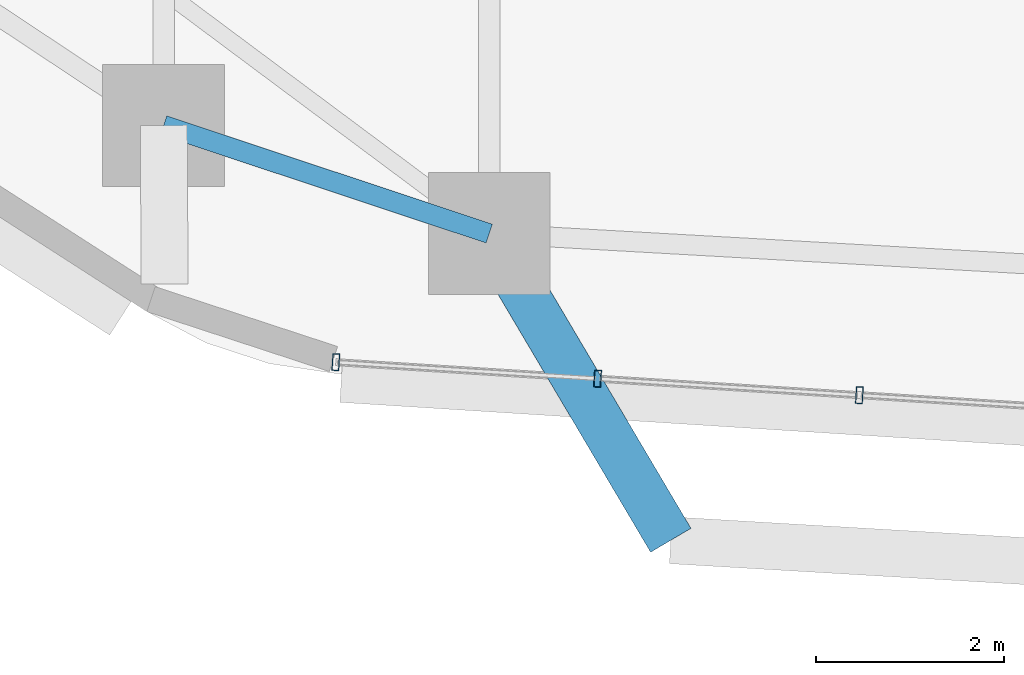
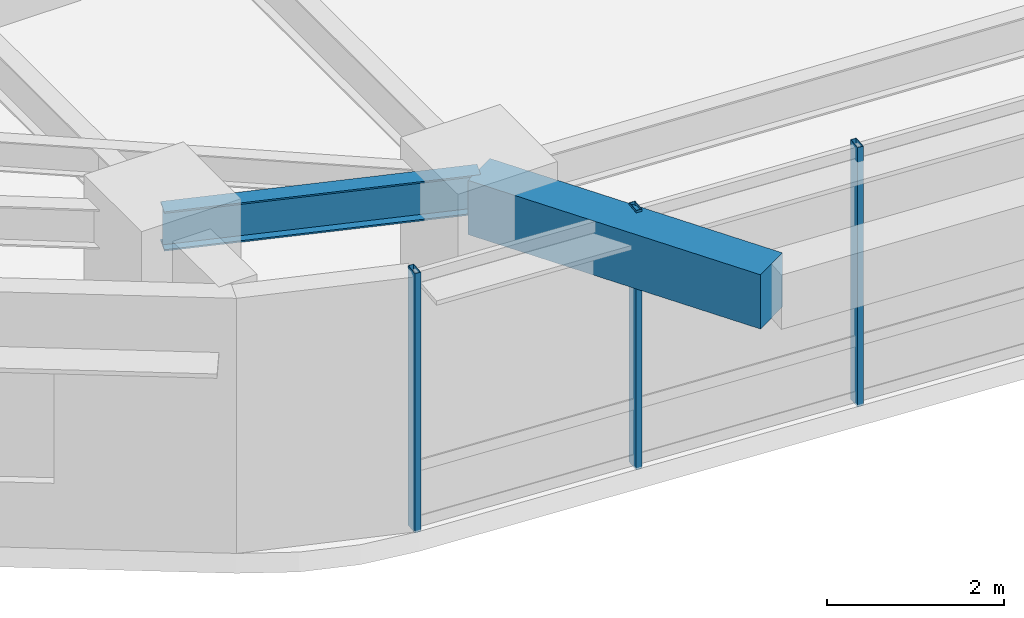
# One storey, part 2 of 13: 3 members, 2 beams, 1 element without a shape of its own.
"""IFC4 building model written with IfcOpenShell, lengths in metres."""

from ifc_helpers import new_model, si_unit, direction, frame, origin, origin_2d, place, context, subcontext, project, spatial, rectangle, hollow_rectangle, i_section, extrude, material, material_profile, profile_set, type_object, element, aggregate, save


model = new_model("IFC4")

# Units and contexts
model_context = context("Model", 3, precision=1e-05, world=origin(), true_north=direction((0.0, 1.0)))
body_context = subcontext(model_context, "Body", "Model", "MODEL_VIEW")
ifc_project = project(units=[si_unit("LENGTHUNIT", "METRE"), si_unit("AREAUNIT", "SQUARE_METRE"), si_unit("VOLUMEUNIT", "CUBIC_METRE"), si_unit("PLANEANGLEUNIT", "RADIAN"), si_unit("MASSUNIT", "GRAM", prefix="KILO")], contexts=[model_context])

# Site, building, storey
site_placement = place(None, origin())
site = spatial("IfcSite", under=ifc_project, at=site_placement, CompositionType="ELEMENT")
building_placement = place(site_placement, origin())
building = spatial("IfcBuilding", under=site, at=building_placement, Name="Zulverin Broadcast Headquarters", CompositionType="ELEMENT")
storey_placement = place(building_placement, frame((0.0, 0.0, 47.800048828125)))
storey = spatial("IfcBuildingStorey", under=building, at=storey_placement, Name="L11", CompositionType="ELEMENT", Elevation=47.800048828125)

# Beams
ifc_material_1 = material(Name="Concrete C40/50", Category="concrete")
ifc_material_profile_1 = material_profile(ifc_material_1, rectangle(XDim=0.5, YDim=0.75, at=origin_2d()), Name="Concrete C40/50", Category="concrete")
ifc_profile_set_1 = profile_set([ifc_material_profile_1], Name="Concrete C40/50")
beam_type_1 = type_object("IfcBeamType", Name="BM-RC-500x750", PredefinedType="BEAM", material=ifc_profile_set_1)
beam_1_placement = place(storey_placement, frame((29.79638671875, 3.922119140625, 3.14990234375), z_axis=(0.509317980618, -0.860578407014, 0.0), x_axis=(0.860578407014, 0.509317980618, 0.0)))
element("IfcBeam", 1, at=beam_1_placement, inside=storey, type_object=beam_type_1, Name="L12 Balcony Column-Framed Cantilever BAL_S-1", PredefinedType="BEAM", context=body_context, shape_type="SweptSolid", body=[
    extrude(rectangle(XDim=0.5, YDim=0.75, at=origin_2d()), origin(), (0.0, 0.0, 1.0), 3.7998046875),
])
ifc_material_2 = material(Name="Structural steel S355JR", Category="steel")
ifc_material_profile_2 = material_profile(ifc_material_2, i_section(OverallWidth=0.2119140625, OverallDepth=0.54443359375, WebThickness=0.0126953125, FlangeThickness=0.021240234375, at=origin_2d()), Name="Structural steel S355JR", Category="steel")
ifc_profile_set_2 = profile_set([ifc_material_profile_2], Name="Structural steel S355JR")
beam_type_2 = type_object("IfcBeamType", Name="BM-UB-533", PredefinedType="SPANDREL", material=ifc_profile_set_2)
beam_2_placement = place(storey_placement, frame((26.3251953125, 5.075927734375, 3.252685546875), z_axis=(0.948949931395, -0.315426739047, 0.0), x_axis=(0.315426739047, 0.948949931395, 0.0)))
element("IfcBeam", 2, at=beam_2_placement, inside=storey, type_object=beam_type_2, Name="L11 Perimeter Spandrel Beam SP-16", PredefinedType="SPANDREL", context=body_context, shape_type="SweptSolid", body=[
    extrude(i_section(OverallWidth=0.2119140625, OverallDepth=0.54443359375, WebThickness=0.0126953125, FlangeThickness=0.021240234375, at=origin_2d()), origin(), (0.0, 0.0, 1.0), 3.657958984375),
])

# Curtain wall, members
ifc_material_3 = material(Name="Low-zone ribbon unitised curtain wall", Category="aluminium")
curtain_wall_type = type_object("IfcCurtainWallType", Name="CW-TWR-LOW", PredefinedType="USERDEFINED", material=ifc_material_3)
curtain_wall_placement = place(storey_placement, origin())
curtain_wall = element("IfcCurtainWall", 3, at=curtain_wall_placement, inside=storey, type_object=curtain_wall_type, Name="L11 Unitised Curtain Wall CW-L11-E1", ObjectType="UNITISED CURTAIN WALL", PredefinedType="USERDEFINED")
ifc_material_4 = material(Name="Anodized pale-metal aluminium alloy 6063-T6", Category="aluminium")
ifc_material_profile_3 = material_profile(ifc_material_4, hollow_rectangle(XDim=0.074951171875, YDim=0.179931640625, WallThickness=0.0048828125, at=origin_2d()), Name="Anodized pale-metal aluminium alloy 6063-T6", Category="aluminium")
ifc_profile_set_3 = profile_set([ifc_material_profile_3], Name="Anodized pale-metal aluminium alloy 6063-T6")
member_type = type_object("IfcMemberType", Name="CW-MUL-180", PredefinedType="MULLION", material=ifc_profile_set_3)
member_1_placement = place(storey_placement, frame((28.16015625, 2.55126953125, -0.030029296875), z_axis=(0.0, 0.0, 1.0), x_axis=(0.998017182581, -0.062942062821, 0.0)))
member_1 = element("IfcMember", 4, at=member_1_placement, type_object=member_type, Name="CW-L11-E1 Mullion 00", PredefinedType="MULLION", context=body_context, shape_type="SweptSolid", body=[
    extrude(hollow_rectangle(XDim=0.074951171875, YDim=0.179931640625, WallThickness=0.0048828125, at=origin_2d()), origin(), (0.0, 0.0, 1.0), 3.5849609375),
])
member_2_placement = place(storey_placement, frame((30.951171875, 2.375, -0.030029296875), z_axis=(0.0, 0.0, 1.0), x_axis=(0.998017182581, -0.062942062821, 0.0)))
member_2 = element("IfcMember", 5, at=member_2_placement, type_object=member_type, Name="CW-L11-E1 Mullion 01", PredefinedType="MULLION", context=body_context, shape_type="SweptSolid", body=[
    extrude(hollow_rectangle(XDim=0.074951171875, YDim=0.179931640625, WallThickness=0.0048828125, at=origin_2d()), origin(), (0.0, 0.0, 1.0), 3.5849609375),
])
member_3_placement = place(storey_placement, frame((33.742431640625, 2.19921875, -0.030029296875), z_axis=(0.0, 0.0, 1.0), x_axis=(0.998017182581, -0.062942062821, 0.0)))
member_3 = element("IfcMember", 6, at=member_3_placement, type_object=member_type, Name="CW-L11-E1 Mullion 02", PredefinedType="MULLION", context=body_context, shape_type="SweptSolid", body=[
    extrude(hollow_rectangle(XDim=0.074951171875, YDim=0.179931640625, WallThickness=0.0048828125, at=origin_2d()), origin(), (0.0, 0.0, 1.0), 3.5849609375),
])
aggregate(curtain_wall, [member_1, member_2, member_3])

save(model, "model.ifc")
